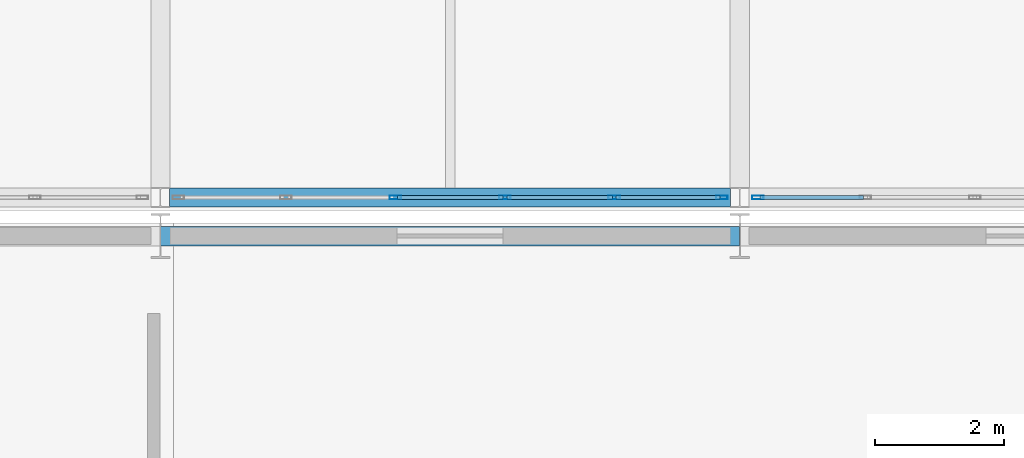
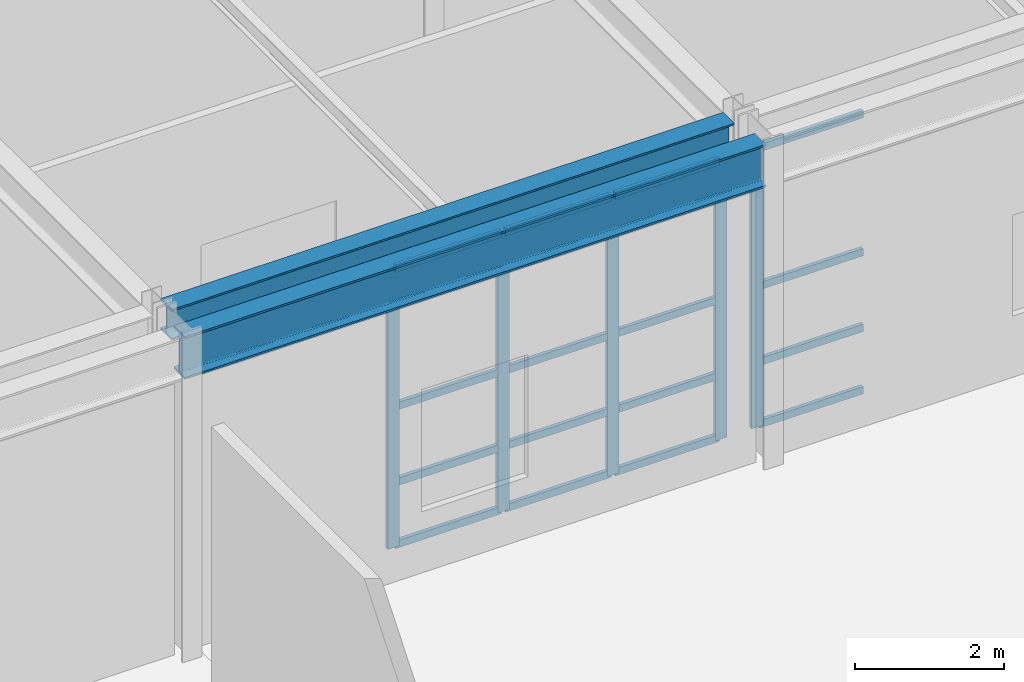
# One storey, part 29 of 239: 21 members, 2 beams, 2 elements without a shape of their own.
"""IFC4 building model written with IfcOpenShell, lengths in metres."""

from ifc_helpers import new_model, si_unit, direction, frame, origin, origin_2d, place, context, subcontext, project, spatial, hollow_rectangle, i_section, extrude, material, material_profile, profile_set, type_object, element, aggregate, save


model = new_model("IFC4")

# Units and contexts
model_context = context("Model", 3, precision=1e-05, world=origin(), true_north=direction((0.0, 1.0)))
body_context = subcontext(model_context, "Body", "Model", "MODEL_VIEW")
ifc_project = project(units=[si_unit("LENGTHUNIT", "METRE"), si_unit("AREAUNIT", "SQUARE_METRE"), si_unit("VOLUMEUNIT", "CUBIC_METRE"), si_unit("PLANEANGLEUNIT", "RADIAN"), si_unit("MASSUNIT", "GRAM", prefix="KILO")], contexts=[model_context])

# Site, building, storey
site_placement = place(None, origin())
site = spatial("IfcSite", under=ifc_project, at=site_placement, CompositionType="ELEMENT")
building_placement = place(site_placement, origin())
building = spatial("IfcBuilding", under=site, at=building_placement, Name="Kaldris Quays Convention Centre", CompositionType="ELEMENT")
storey_placement = place(building_placement, frame((0.0, 0.0, 11.39990234375)))
storey = spatial("IfcBuildingStorey", under=building, at=storey_placement, Name="L02", CompositionType="ELEMENT", Elevation=11.39990234375)

# Curtain wall, members
ifc_material_1 = material(Name="Anodized aluminium AW-6060 and triple glazing", Category="aluminium")
curtain_wall_type = type_object("IfcCurtainWallType", Name="UNITISED CURTAIN WALL CW02", PredefinedType="NOTDEFINED", material=ifc_material_1)
curtain_wall_1_placement = place(storey_placement, origin())
curtain_wall_1 = element("IfcCurtainWall", 1, at=curtain_wall_1_placement, inside=storey, type_object=curtain_wall_type, Name="L02 Unitised Curtain Wall CW02 101", PredefinedType="NOTDEFINED")
ifc_material_2 = material(Name="Anodized aluminium AW-6060", Category="aluminium")
ifc_material_profile_1 = material_profile(ifc_material_2, hollow_rectangle(XDim=0.06005859375, YDim=0.179931640625, WallThickness=0.0048828125, at=origin_2d()), Name="RHS 180x60x5")
ifc_profile_set_1 = profile_set([ifc_material_profile_1], Name="Anodized aluminium AW-6060")
member_type_1 = type_object("IfcMemberType", Name="CURTAIN MULLION CWM2", PredefinedType="MULLION", material=ifc_profile_set_1)
member_1_placement = place(storey_placement, frame((68.64990234375, 46.60009765625, 0.0), z_axis=(0.0, 0.0, 1.0), x_axis=(0.0, 1.0, 0.0)))
member_1 = element("IfcMember", 2, at=member_1_placement, type_object=member_type_1, Name="CW02 mullion 3", PredefinedType="MULLION", context=body_context, shape_type="SweptSolid", body=[
    extrude(hollow_rectangle(XDim=0.06005859375, YDim=0.179931640625, WallThickness=0.0048828125, at=origin_2d()), origin(), (0.0, 0.0, 1.0), 4.578125),
])
member_2_placement = place(storey_placement, frame((70.35009765625, 46.60009765625, 0.0), z_axis=(0.0, 0.0, 1.0), x_axis=(0.0, 1.0, 0.0)))
member_2 = element("IfcMember", 3, at=member_2_placement, type_object=member_type_1, Name="CW02 mullion 4", PredefinedType="MULLION", context=body_context, shape_type="SweptSolid", body=[
    extrude(hollow_rectangle(XDim=0.06005859375, YDim=0.179931640625, WallThickness=0.0048828125, at=origin_2d()), origin(), (0.0, 0.0, 1.0), 4.578125),
])
member_3_placement = place(storey_placement, frame((72.050048828125, 46.60009765625, 0.0), z_axis=(0.0, 0.0, 1.0), x_axis=(0.0, 1.0, 0.0)))
member_3 = element("IfcMember", 4, at=member_3_placement, type_object=member_type_1, Name="CW02 mullion 5", PredefinedType="MULLION", context=body_context, shape_type="SweptSolid", body=[
    extrude(hollow_rectangle(XDim=0.06005859375, YDim=0.179931640625, WallThickness=0.0048828125, at=origin_2d()), origin(), (0.0, 0.0, 1.0), 4.578125),
])
member_4_placement = place(storey_placement, frame((73.719970703125, 46.60009765625, 0.0), z_axis=(0.0, 0.0, 1.0), x_axis=(0.0, 1.0, 0.0)))
member_4 = element("IfcMember", 5, at=member_4_placement, type_object=member_type_1, Name="CW02 mullion 6", PredefinedType="MULLION", context=body_context, shape_type="SweptSolid", body=[
    extrude(hollow_rectangle(XDim=0.06005859375, YDim=0.179931640625, WallThickness=0.0048828125, at=origin_2d()), origin(), (0.0, 0.0, 1.0), 4.578125),
])

# Curtain wall, member
curtain_wall_2_placement = place(storey_placement, origin())
curtain_wall_2 = element("IfcCurtainWall", 6, at=curtain_wall_2_placement, inside=storey, type_object=curtain_wall_type, Name="L02 Unitised Curtain Wall CW02 102", PredefinedType="NOTDEFINED")
member_5_placement = place(storey_placement, frame((74.280029296875, 46.60009765625, 0.0), z_axis=(0.0, 0.0, 1.0), x_axis=(0.0, 1.0, 0.0)))
member_5 = element("IfcMember", 7, at=member_5_placement, type_object=member_type_1, Name="CW02 mullion 1", PredefinedType="MULLION", context=body_context, shape_type="SweptSolid", body=[
    extrude(hollow_rectangle(XDim=0.06005859375, YDim=0.179931640625, WallThickness=0.0048828125, at=origin_2d()), origin(), (0.0, 0.0, 1.0), 4.578125),
])

# Member
ifc_material_profile_2 = material_profile(ifc_material_2, hollow_rectangle(XDim=0.06005859375, YDim=0.1201171875, WallThickness=0.00390625, at=origin_2d()), Name="RHS 120x60x4")
ifc_profile_set_2 = profile_set([ifc_material_profile_2], Name="Anodized aluminium AW-6060")
member_type_2 = type_object("IfcMemberType", Name="CURTAIN TRANSOM CWT1", PredefinedType="USERDEFINED", material=ifc_profile_set_2)
member_6_placement = place(storey_placement, frame((68.679931640625, 46.60009765625, 0.030029296875), z_axis=(1.0, 0.0, 0.0), x_axis=(0.0, 1.0, 0.0)))
member_6 = element("IfcMember", 8, at=member_6_placement, type_object=member_type_2, Name="CW02 transom 3.1", ObjectType="TRANSOM", PredefinedType="USERDEFINED", context=body_context, shape_type="SweptSolid", body=[
    extrude(hollow_rectangle(XDim=0.06005859375, YDim=0.1201171875, WallThickness=0.00390625, at=origin_2d()), origin(), (0.0, 0.0, 1.0), 1.64013671875),
])

member_7_placement = place(storey_placement, frame((68.679931640625, 46.60009765625, 1.050048828125), z_axis=(1.0, 0.0, 0.0), x_axis=(0.0, 1.0, 0.0)))
member_7 = element("IfcMember", 9, at=member_7_placement, type_object=member_type_2, Name="CW02 transom 3.2", ObjectType="TRANSOM", PredefinedType="USERDEFINED", context=body_context, shape_type="SweptSolid", body=[
    extrude(hollow_rectangle(XDim=0.06005859375, YDim=0.1201171875, WallThickness=0.00390625, at=origin_2d()), origin(), (0.0, 0.0, 1.0), 1.64013671875),
])

member_8_placement = place(storey_placement, frame((68.679931640625, 46.60009765625, 2.2890625), z_axis=(1.0, 0.0, 0.0), x_axis=(0.0, 1.0, 0.0)))
member_8 = element("IfcMember", 10, at=member_8_placement, type_object=member_type_2, Name="CW02 transom 3.3", ObjectType="TRANSOM", PredefinedType="USERDEFINED", context=body_context, shape_type="SweptSolid", body=[
    extrude(hollow_rectangle(XDim=0.06005859375, YDim=0.1201171875, WallThickness=0.00390625, at=origin_2d()), origin(), (0.0, 0.0, 1.0), 1.64013671875),
])

member_9_placement = place(storey_placement, frame((68.679931640625, 46.60009765625, 4.548095703125), z_axis=(1.0, 0.0, 0.0), x_axis=(0.0, 1.0, 0.0)))
member_9 = element("IfcMember", 11, at=member_9_placement, type_object=member_type_2, Name="CW02 transom 3.4", ObjectType="TRANSOM", PredefinedType="USERDEFINED", context=body_context, shape_type="SweptSolid", body=[
    extrude(hollow_rectangle(XDim=0.06005859375, YDim=0.1201171875, WallThickness=0.00390625, at=origin_2d()), origin(), (0.0, 0.0, 1.0), 1.64013671875),
])

member_10_placement = place(storey_placement, frame((70.3798828125, 46.60009765625, 0.030029296875), z_axis=(1.0, 0.0, 0.0), x_axis=(0.0, 1.0, 0.0)))
member_10 = element("IfcMember", 12, at=member_10_placement, type_object=member_type_2, Name="CW02 transom 4.1", ObjectType="TRANSOM", PredefinedType="USERDEFINED", context=body_context, shape_type="SweptSolid", body=[
    extrude(hollow_rectangle(XDim=0.06005859375, YDim=0.1201171875, WallThickness=0.00390625, at=origin_2d()), origin(), (0.0, 0.0, 1.0), 1.64013671875),
])

member_11_placement = place(storey_placement, frame((70.3798828125, 46.60009765625, 1.050048828125), z_axis=(1.0, 0.0, 0.0), x_axis=(0.0, 1.0, 0.0)))
member_11 = element("IfcMember", 13, at=member_11_placement, type_object=member_type_2, Name="CW02 transom 4.2", ObjectType="TRANSOM", PredefinedType="USERDEFINED", context=body_context, shape_type="SweptSolid", body=[
    extrude(hollow_rectangle(XDim=0.06005859375, YDim=0.1201171875, WallThickness=0.00390625, at=origin_2d()), origin(), (0.0, 0.0, 1.0), 1.64013671875),
])

member_12_placement = place(storey_placement, frame((70.3798828125, 46.60009765625, 2.2890625), z_axis=(1.0, 0.0, 0.0), x_axis=(0.0, 1.0, 0.0)))
member_12 = element("IfcMember", 14, at=member_12_placement, type_object=member_type_2, Name="CW02 transom 4.3", ObjectType="TRANSOM", PredefinedType="USERDEFINED", context=body_context, shape_type="SweptSolid", body=[
    extrude(hollow_rectangle(XDim=0.06005859375, YDim=0.1201171875, WallThickness=0.00390625, at=origin_2d()), origin(), (0.0, 0.0, 1.0), 1.64013671875),
])

member_13_placement = place(storey_placement, frame((70.3798828125, 46.60009765625, 4.548095703125), z_axis=(1.0, 0.0, 0.0), x_axis=(0.0, 1.0, 0.0)))
member_13 = element("IfcMember", 15, at=member_13_placement, type_object=member_type_2, Name="CW02 transom 4.4", ObjectType="TRANSOM", PredefinedType="USERDEFINED", context=body_context, shape_type="SweptSolid", body=[
    extrude(hollow_rectangle(XDim=0.06005859375, YDim=0.1201171875, WallThickness=0.00390625, at=origin_2d()), origin(), (0.0, 0.0, 1.0), 1.64013671875),
])

member_14_placement = place(storey_placement, frame((72.080078125, 46.60009765625, 0.030029296875), z_axis=(1.0, 0.0, 0.0), x_axis=(0.0, 1.0, 0.0)))
member_14 = element("IfcMember", 16, at=member_14_placement, type_object=member_type_2, Name="CW02 transom 5.1", ObjectType="TRANSOM", PredefinedType="USERDEFINED", context=body_context, shape_type="SweptSolid", body=[
    extrude(hollow_rectangle(XDim=0.06005859375, YDim=0.1201171875, WallThickness=0.00390625, at=origin_2d()), origin(), (0.0, 0.0, 1.0), 1.60986328125),
])

member_15_placement = place(storey_placement, frame((72.080078125, 46.60009765625, 1.050048828125), z_axis=(1.0, 0.0, 0.0), x_axis=(0.0, 1.0, 0.0)))
member_15 = element("IfcMember", 17, at=member_15_placement, type_object=member_type_2, Name="CW02 transom 5.2", ObjectType="TRANSOM", PredefinedType="USERDEFINED", context=body_context, shape_type="SweptSolid", body=[
    extrude(hollow_rectangle(XDim=0.06005859375, YDim=0.1201171875, WallThickness=0.00390625, at=origin_2d()), origin(), (0.0, 0.0, 1.0), 1.60986328125),
])

member_16_placement = place(storey_placement, frame((72.080078125, 46.60009765625, 2.2890625), z_axis=(1.0, 0.0, 0.0), x_axis=(0.0, 1.0, 0.0)))
member_16 = element("IfcMember", 18, at=member_16_placement, type_object=member_type_2, Name="CW02 transom 5.3", ObjectType="TRANSOM", PredefinedType="USERDEFINED", context=body_context, shape_type="SweptSolid", body=[
    extrude(hollow_rectangle(XDim=0.06005859375, YDim=0.1201171875, WallThickness=0.00390625, at=origin_2d()), origin(), (0.0, 0.0, 1.0), 1.60986328125),
])

member_17_placement = place(storey_placement, frame((72.080078125, 46.60009765625, 4.548095703125), z_axis=(1.0, 0.0, 0.0), x_axis=(0.0, 1.0, 0.0)))
member_17 = element("IfcMember", 19, at=member_17_placement, type_object=member_type_2, Name="CW02 transom 5.4", ObjectType="TRANSOM", PredefinedType="USERDEFINED", context=body_context, shape_type="SweptSolid", body=[
    extrude(hollow_rectangle(XDim=0.06005859375, YDim=0.1201171875, WallThickness=0.00390625, at=origin_2d()), origin(), (0.0, 0.0, 1.0), 1.60986328125),
])

aggregate(curtain_wall_1, [member_1, member_2, member_3, member_4, member_6, member_7, member_8, member_9, member_10, member_11, member_12, member_13, member_14, member_15, member_16, member_17])

member_18_placement = place(storey_placement, frame((74.31005859375, 46.60009765625, 0.030029296875), z_axis=(1.0, 0.0, 0.0), x_axis=(0.0, 1.0, 0.0)))
member_18 = element("IfcMember", 20, at=member_18_placement, type_object=member_type_2, Name="CW02 transom 1.1", ObjectType="TRANSOM", PredefinedType="USERDEFINED", context=body_context, shape_type="SweptSolid", body=[
    extrude(hollow_rectangle(XDim=0.06005859375, YDim=0.1201171875, WallThickness=0.00390625, at=origin_2d()), origin(), (0.0, 0.0, 1.0), 1.60986328125),
])

member_19_placement = place(storey_placement, frame((74.31005859375, 46.60009765625, 1.050048828125), z_axis=(1.0, 0.0, 0.0), x_axis=(0.0, 1.0, 0.0)))
member_19 = element("IfcMember", 21, at=member_19_placement, type_object=member_type_2, Name="CW02 transom 1.2", ObjectType="TRANSOM", PredefinedType="USERDEFINED", context=body_context, shape_type="SweptSolid", body=[
    extrude(hollow_rectangle(XDim=0.06005859375, YDim=0.1201171875, WallThickness=0.00390625, at=origin_2d()), origin(), (0.0, 0.0, 1.0), 1.60986328125),
])

member_20_placement = place(storey_placement, frame((74.31005859375, 46.60009765625, 2.2890625), z_axis=(1.0, 0.0, 0.0), x_axis=(0.0, 1.0, 0.0)))
member_20 = element("IfcMember", 22, at=member_20_placement, type_object=member_type_2, Name="CW02 transom 1.3", ObjectType="TRANSOM", PredefinedType="USERDEFINED", context=body_context, shape_type="SweptSolid", body=[
    extrude(hollow_rectangle(XDim=0.06005859375, YDim=0.1201171875, WallThickness=0.00390625, at=origin_2d()), origin(), (0.0, 0.0, 1.0), 1.60986328125),
])

member_21_placement = place(storey_placement, frame((74.31005859375, 46.60009765625, 4.548095703125), z_axis=(1.0, 0.0, 0.0), x_axis=(0.0, 1.0, 0.0)))
member_21 = element("IfcMember", 23, at=member_21_placement, type_object=member_type_2, Name="CW02 transom 1.4", ObjectType="TRANSOM", PredefinedType="USERDEFINED", context=body_context, shape_type="SweptSolid", body=[
    extrude(hollow_rectangle(XDim=0.06005859375, YDim=0.1201171875, WallThickness=0.00390625, at=origin_2d()), origin(), (0.0, 0.0, 1.0), 1.60986328125),
])

aggregate(curtain_wall_2, [member_5, member_18, member_19, member_20, member_21])

# Beams
ifc_material_3 = material(Name="Steel S355J2", Category="steel")
ifc_material_profile_3 = material_profile(ifc_material_3, i_section(OverallWidth=0.300048828125, OverallDepth=0.699951171875, WebThickness=0.01708984375, FlangeThickness=0.031982421875, FilletRadius=0.027099609375, at=origin_2d()), Name="HEB 700")
ifc_profile_set_3 = profile_set([ifc_material_profile_3], Name="Steel S355J2")
beam_type_1 = type_object("IfcBeamType", Name="STRUCTURAL BEAM BM04", PredefinedType="BEAM", material=ifc_profile_set_3)
beam_1_placement = place(storey_placement, frame((65.00244140625, 46.0, 4.81298828125), z_axis=(1.0, 0.0, 0.0), x_axis=(0.0, 1.0, 0.0)))
element("IfcBeam", 24, at=beam_1_placement, inside=storey, type_object=beam_type_1, Name="L02 Girder BM04 13", PredefinedType="BEAM", context=body_context, shape_type="SweptSolid", body=[
    extrude(i_section(OverallWidth=0.300048828125, OverallDepth=0.699951171875, WebThickness=0.01708984375, FlangeThickness=0.031982421875, FilletRadius=0.027099609375, at=origin_2d()), origin(), (0.0, 0.0, 1.0), 8.9951171875),
])
ifc_material_profile_4 = material_profile(ifc_material_3, i_section(OverallWidth=0.300048828125, OverallDepth=0.5, WebThickness=0.014404296875, FlangeThickness=0.028076171875, FilletRadius=0.027099609375, at=origin_2d()), Name="HEB 500")
ifc_profile_set_4 = profile_set([ifc_material_profile_4], Name="Steel S355J2")
beam_type_2 = type_object("IfcBeamType", Name="STRUCTURAL BEAM BM06", PredefinedType="BEAM", material=ifc_profile_set_4)
beam_2_placement = place(storey_placement, frame((65.14404296875, 46.60009765625, 4.943115234375), z_axis=(1.0, 0.0, 0.0), x_axis=(0.0, 1.0, 0.0)))
element("IfcBeam", 25, at=beam_2_placement, inside=storey, type_object=beam_type_2, Name="L02 Girder BM06 5", PredefinedType="BEAM", context=body_context, shape_type="SweptSolid", body=[
    extrude(i_section(OverallWidth=0.300048828125, OverallDepth=0.5, WebThickness=0.014404296875, FlangeThickness=0.028076171875, FilletRadius=0.027099609375, at=origin_2d()), origin(), (0.0, 0.0, 1.0), 8.7119140625),
])

save(model, "model.ifc")
